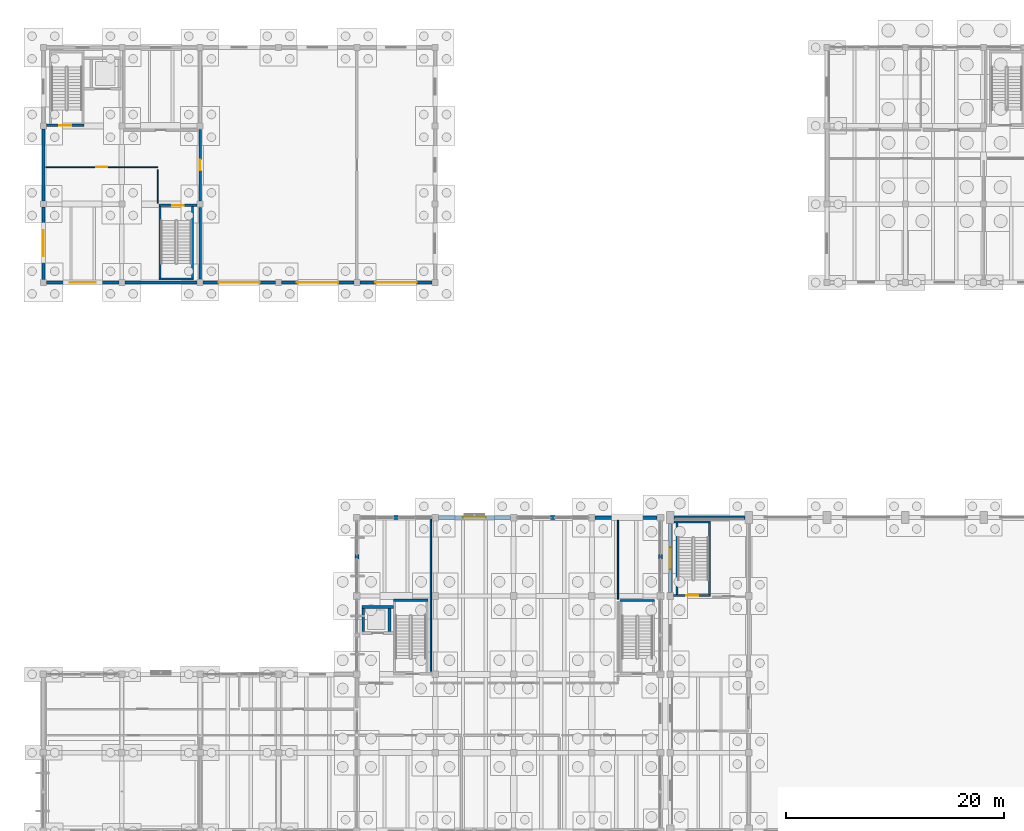
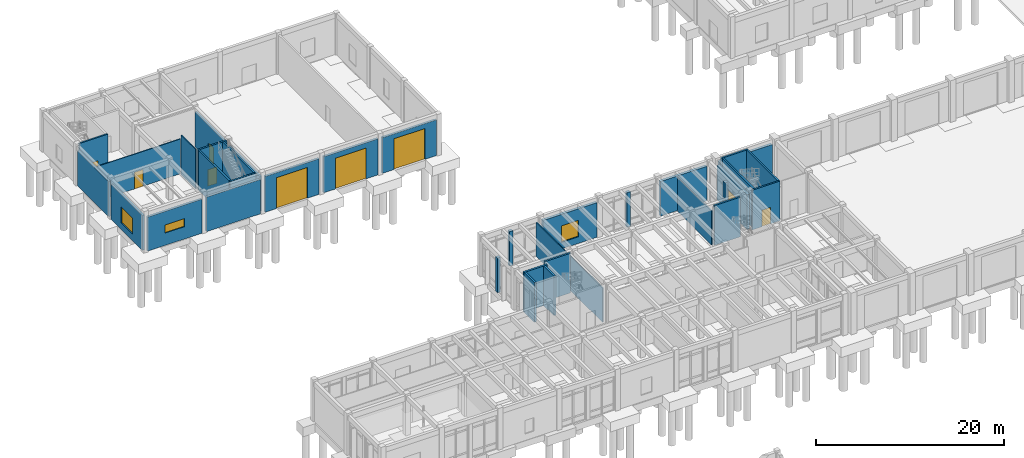
# One storey, part 66 of 93: 35 walls, 8 doors, 4 windows, 12 openings.
"""IFC4 building model written with IfcOpenShell, lengths in metres."""

from ifc_helpers import new_model, si_unit, direction, frame, frame_2d, origin, place, context, subcontext, project, spatial, rectangle, extrude, material, layer, layer_set, type_object, element, fill, save


model = new_model("IFC4")

# Units and contexts
model_context = context("Model", 3, precision=1e-05, world=origin(), true_north=direction((0.0, 1.0)))
body_context = subcontext(model_context, "Body", "Model", "MODEL_VIEW")
ifc_project = project(units=[si_unit("LENGTHUNIT", "METRE"), si_unit("AREAUNIT", "SQUARE_METRE"), si_unit("VOLUMEUNIT", "CUBIC_METRE"), si_unit("PLANEANGLEUNIT", "RADIAN"), si_unit("MASSUNIT", "GRAM", prefix="KILO")], contexts=[model_context])

# Site, building, storey
site_placement = place(None, origin())
site = spatial("IfcSite", under=ifc_project, at=site_placement, CompositionType="ELEMENT")
building_placement = place(site_placement, origin())
building = spatial("IfcBuilding", under=site, at=building_placement, Name="Koriwan Promenade Central Fire Station", CompositionType="ELEMENT")
storey_placement = place(building_placement, origin())
storey = spatial("IfcBuildingStorey", under=building, at=storey_placement, Name="L00", CompositionType="ELEMENT", Elevation=0.0)

# Walls
ifc_material_1 = material(Name="Natural sillar sandstone ashlar", Category="masonry")
ifc_layer_1 = layer(ifc_material_1, 0.360107421875, Name="Natural sillar sandstone ashlar")
ifc_layer_set_1 = layer_set([ifc_layer_1], Name="Natural sillar sandstone ashlar")
wall_type_1 = type_object("IfcWallType", Name="ExtWall_SillarBase_360", PredefinedType="SOLIDWALL", material=ifc_layer_set_1)
for number, where, z_axis, x_axis, name in (
    (1, (28.800048828125, 68.199951171875, 0.0), (0.0, 0.0, 1.0), (0.0, 1.0, 0.0), "V4 L00 sillar facade mullion pier 160"),
    (2, (32.199951171875, 72.0, 0.0), (0.0, 0.0, 1.0), (1.0, 0.0, 0.0), "V4 L00 sillar facade mullion pier 161"),
):
    element("IfcWall", number, at=place(storey_placement, frame(where, z_axis=z_axis, x_axis=x_axis)), inside=storey, type_object=wall_type_1, Name=name, PredefinedType="SOLIDWALL", context=body_context, shape_type="SweptSolid", body=[
        extrude(rectangle(XDim=0.400146484375, YDim=0.360107421875, at=frame_2d((0.2001953125, 0.0))), origin(), (0.0, 0.0, 1.0), 4.489990234375),
    ])
wall_1_placement = place(storey_placement, frame((46.60009765625, 72.0, 0.0), z_axis=(0.0, 0.0, 1.0), x_axis=(1.0, 0.0, 0.0)))
element("IfcWall", 3, at=wall_1_placement, inside=storey, type_object=wall_type_1, Name="V4 L00 sillar facade mullion pier 163", PredefinedType="SOLIDWALL", context=body_context, shape_type="SweptSolid", body=[
    extrude(rectangle(XDim=0.39990234375, YDim=0.360107421875, at=frame_2d((0.199951171875, 0.0))), origin(), (0.0, 0.0, 1.0), 4.489990234375),
])
wall_2_placement = place(storey_placement, frame((56.699951171875, 68.60009765625, 0.0), z_axis=(0.0, 0.0, 1.0), x_axis=(0.0, -1.0, 0.0)))
element("IfcWall", 4, at=wall_2_placement, inside=storey, type_object=wall_type_1, Name="V4 L00 sillar facade mullion pier 165", PredefinedType="SOLIDWALL", context=body_context, shape_type="SweptSolid", body=[
    extrude(rectangle(XDim=0.400146484375, YDim=0.360107421875, at=frame_2d((0.2001953125, 0.0))), origin(), (0.0, 0.0, 1.0), 4.489990234375),
])
ifc_material_2 = material(Name="Precast concrete C40/50", Category="concrete")
ifc_layer_2 = layer(ifc_material_2, 0.320068359375, Name="Precast concrete C40/50")
ifc_layer_set_2 = layer_set([ifc_layer_2], Name="Precast concrete C40/50")
wall_type_2 = type_object("IfcWallType", Name="ExtWall_Terracotta_320", PredefinedType="ELEMENTEDWALL", material=ifc_layer_set_2)
wall_3_placement = place(storey_placement, frame((64.449951171875, 72.0, 0.0), z_axis=(0.0, 0.0, 1.0), x_axis=(-1.0, 0.0, 0.0)))
element("IfcWall", 5, at=wall_3_placement, inside=storey, type_object=wall_type_2, Name="V1 L00 exterior wall 12", PredefinedType="ELEMENTEDWALL", context=body_context, shape_type="SweptSolid", body=[
    extrude(rectangle(XDim=6.5, YDim=0.320068359375, at=frame_2d((3.25, 0.0))), origin(), (0.0, 0.0, 1.0), 4.489990234375),
])

# Wall, opening, window
wall_4_placement = place(storey_placement, frame((57.60009765625, 71.449951171875, 0.0), z_axis=(0.0, 0.0, 1.0), x_axis=(0.0, -1.0, 0.0)))
wall_4 = element("IfcWall", 6, at=wall_4_placement, inside=storey, type_object=wall_type_2, Name="V1 L00 exterior wall 13", PredefinedType="ELEMENTEDWALL", context=body_context, shape_type="SweptSolid", body=[
    extrude(rectangle(XDim=6.349853515625, YDim=0.320068359375, at=frame_2d((3.1748046875, 0.0))), origin(), (0.0, 0.0, 1.0), 4.489990234375),
])
opening_1_placement = place(wall_4_placement, frame((2.175048828125, 0.0, 0.85009765625)))
opening_1 = element("IfcOpeningElement", 7, at=opening_1_placement, cuts=wall_4, Name="Opening W-16", PredefinedType="OPENING", context=body_context, shape_type="SweptSolid", body=[
    extrude(rectangle(XDim=2.0, YDim=1.85009765625, at=frame_2d((1.0, 0.925048828125))), frame((0.0, 0.171875, 0.0), z_axis=(0.0, -1.0, 0.0), x_axis=(1.0, 0.0, 0.0)), (0.0, 0.0, 1.0), 0.343994140625),
])
ifc_material_3 = material(Name="Solar-control low-E laminated double glazing", Category="glass")
window_type_1 = type_object("IfcWindowType", Name="Win_Studio_2000x1850", PartitioningType="SINGLE_PANEL", PredefinedType="WINDOW", material=ifc_material_3)
window_1_placement = place(opening_1_placement, origin())
window_1 = element("IfcWindow", 8, at=window_1_placement, inside=storey, type_object=window_type_1, Name="V1 L00 window 0004", OverallHeight=1.85009765625, OverallWidth=2.0, PartitioningType="SINGLE_PANEL", PredefinedType="WINDOW", context=body_context, shape_type="SweptSolid", body=[
    extrude(rectangle(XDim=2.0, YDim=1.85009765625, at=frame_2d((1.0, 0.925048828125))), frame((0.0, 0.030029296875, 0.0), z_axis=(0.0, -1.0, 0.0), x_axis=(1.0, 0.0, 0.0)), (0.0, 0.0, 1.0), 0.06005859375),
])
fill(opening_1, window_1)

wall_5_placement = place(storey_placement, frame((36.300048828125, 72.0, 0.0), z_axis=(0.0, 0.0, 1.0), x_axis=(1.0, 0.0, 0.0)))
wall_5 = element("IfcWall", 9, at=wall_5_placement, inside=storey, type_object=wall_type_2, Name="V4 L00 exterior wall 162", PredefinedType="ELEMENTEDWALL", context=body_context, shape_type="SweptSolid", body=[
    extrude(rectangle(XDim=6.599853515625, YDim=0.320068359375, at=frame_2d((3.2998046875, 0.0))), origin(), (0.0, 0.0, 1.0), 4.489990234375),
])
opening_2_placement = place(wall_5_placement, frame((2.25, 0.0, 0.85009765625)))
opening_2 = element("IfcOpeningElement", 10, at=opening_2_placement, cuts=wall_5, Name="Opening W-11", PredefinedType="OPENING", context=body_context, shape_type="SweptSolid", body=[
    extrude(rectangle(XDim=2.10009765625, YDim=2.14990234375, at=frame_2d((1.050048828125, 1.074951171875))), frame((0.0, 0.171875, 0.0), z_axis=(0.0, -1.0, 0.0), x_axis=(1.0, 0.0, 0.0)), (0.0, 0.0, 1.0), 0.343994140625),
])
window_type_2 = type_object("IfcWindowType", Name="Win_Pavilion_2100x2150", PartitioningType="SINGLE_PANEL", PredefinedType="WINDOW", material=ifc_material_3)
window_2_placement = place(opening_2_placement, origin())
window_2 = element("IfcWindow", 11, at=window_2_placement, inside=storey, type_object=window_type_2, Name="V4 L00 window 0068", OverallHeight=2.14990234375, OverallWidth=2.10009765625, PartitioningType="SINGLE_PANEL", PredefinedType="WINDOW", context=body_context, shape_type="SweptSolid", body=[
    extrude(rectangle(XDim=2.10009765625, YDim=2.14990234375, at=frame_2d((1.050048828125, 1.074951171875))), frame((0.0, 0.030029296875, 0.0), z_axis=(0.0, -1.0, 0.0), x_axis=(1.0, 0.0, 0.0)), (0.0, 0.0, 1.0), 0.06005859375),
])
fill(opening_2, window_2)

# Walls
wall_6_placement = place(storey_placement, frame((50.699951171875, 72.0, 0.0), z_axis=(0.0, 0.0, 1.0), x_axis=(1.0, 0.0, 0.0)))
element("IfcWall", 12, at=wall_6_placement, inside=storey, type_object=wall_type_2, Name="V4 L00 exterior wall 164", PredefinedType="ELEMENTEDWALL", context=body_context, shape_type="SweptSolid", body=[
    extrude(rectangle(XDim=5.699951171875, YDim=0.320068359375, at=frame_2d((2.85009765625, 0.0))), origin(), (0.0, 0.0, 1.0), 4.489990234375),
])
ifc_layer_3 = layer(ifc_material_2, 0.260009765625, Name="Precast concrete C40/50")
ifc_layer_set_3 = layer_set([ifc_layer_3], Name="Precast concrete C40/50")
wall_type_3 = type_object("IfcWallType", Name="ExtWall_WorkshopRed_260", PredefinedType="STANDARD", material=ifc_layer_set_3)
wall_7_placement = place(storey_placement, frame((0.0, 107.72509765625, 0.0), z_axis=(0.0, 0.0, 1.0), x_axis=(0.0, -1.0, 0.0)))
element("IfcWall", 13, at=wall_7_placement, inside=storey, type_object=wall_type_3, Name="V6 L00 exterior wall 344", PredefinedType="STANDARD", context=body_context, shape_type="SweptSolid", body=[
    extrude(rectangle(XDim=6.650146484375, YDim=0.260009765625, at=frame_2d((3.3251953125, 0.0))), origin(), (0.0, 0.0, 1.0), 4.570068359375),
])

# Wall, opening, window
wall_8_placement = place(storey_placement, frame((0.0, 100.52490234375, 0.0), z_axis=(0.0, 0.0, 1.0), x_axis=(0.0, -1.0, 0.0)))
wall_8 = element("IfcWall", 14, at=wall_8_placement, inside=storey, type_object=wall_type_3, Name="V6 L00 exterior wall 345", PredefinedType="STANDARD", context=body_context, shape_type="SweptSolid", body=[
    extrude(rectangle(XDim=6.64990234375, YDim=0.260009765625, at=frame_2d((3.324951171875, 0.0))), origin(), (0.0, 0.0, 1.0), 4.52001953125),
])
opening_3_placement = place(wall_8_placement, frame((2.125, 0.0, 0.85009765625)))
opening_3 = element("IfcOpeningElement", 15, at=opening_3_placement, cuts=wall_8, Name="Opening W-12", PredefinedType="OPENING", context=body_context, shape_type="SweptSolid", body=[
    extrude(rectangle(XDim=2.39990234375, YDim=2.050048828125, at=frame_2d((1.199951171875, 1.02490234375))), frame((0.0, 0.14208984375, 0.0), z_axis=(0.0, -1.0, 0.0), x_axis=(1.0, 0.0, 0.0)), (0.0, 0.0, 1.0), 0.283935546875),
])
window_type_3 = type_object("IfcWindowType", Name="Win_Pavilion_2400x2050", PartitioningType="SINGLE_PANEL", PredefinedType="WINDOW", material=ifc_material_3)
window_3_placement = place(opening_3_placement, origin())
window_3 = element("IfcWindow", 16, at=window_3_placement, inside=storey, type_object=window_type_3, Name="V6 L00 window 0113", OverallHeight=2.050048828125, OverallWidth=2.39990234375, PartitioningType="SINGLE_PANEL", PredefinedType="WINDOW", context=body_context, shape_type="SweptSolid", body=[
    extrude(rectangle(XDim=2.39990234375, YDim=2.050048828125, at=frame_2d((1.199951171875, 1.02490234375))), frame((0.0, 0.030029296875, 0.0), z_axis=(0.0, -1.0, 0.0), x_axis=(1.0, 0.0, 0.0)), (0.0, 0.0, 1.0), 0.06005859375),
])
fill(opening_3, window_3)

wall_9_placement = place(storey_placement, frame((0.27490234375, 93.60009765625, 0.0), z_axis=(0.0, 0.0, 1.0), x_axis=(1.0, 0.0, 0.0)))
wall_9 = element("IfcWall", 17, at=wall_9_placement, inside=storey, type_object=wall_type_3, Name="V6 L00 exterior wall 346", PredefinedType="STANDARD", context=body_context, shape_type="SweptSolid", body=[
    extrude(rectangle(XDim=6.650146484375, YDim=0.260009765625, at=frame_2d((3.3251953125, 0.0))), origin(), (0.0, 0.0, 1.0), 4.419921875),
])
opening_4_placement = place(wall_9_placement, frame((2.125, 0.0, 1.60009765625)))
opening_4 = element("IfcOpeningElement", 18, at=opening_4_placement, cuts=wall_9, Name="Opening W-13", PredefinedType="OPENING", context=body_context, shape_type="SweptSolid", body=[
    extrude(rectangle(XDim=2.39990234375, YDim=1.050048828125, at=frame_2d((1.199951171875, 0.52490234375))), frame((0.0, 0.14208984375, 0.0), z_axis=(0.0, -1.0, 0.0), x_axis=(1.0, 0.0, 0.0)), (0.0, 0.0, 1.0), 0.283935546875),
])
window_type_4 = type_object("IfcWindowType", Name="Win_HighRibbon_2400x1050", PartitioningType="SINGLE_PANEL", PredefinedType="WINDOW", material=ifc_material_3)
window_4_placement = place(opening_4_placement, origin())
window_4 = element("IfcWindow", 19, at=window_4_placement, inside=storey, type_object=window_type_4, Name="V6 L00 window 0114", OverallHeight=1.050048828125, OverallWidth=2.39990234375, PartitioningType="SINGLE_PANEL", PredefinedType="WINDOW", context=body_context, shape_type="SweptSolid", body=[
    extrude(rectangle(XDim=2.39990234375, YDim=1.050048828125, at=frame_2d((1.199951171875, 0.52490234375))), frame((0.0, 0.030029296875, 0.0), z_axis=(0.0, -1.0, 0.0), x_axis=(1.0, 0.0, 0.0)), (0.0, 0.0, 1.0), 0.06005859375),
])
fill(opening_4, window_4)

# Wall
wall_10_placement = place(storey_placement, frame((7.47509765625, 93.60009765625, 0.0), z_axis=(0.0, 0.0, 1.0), x_axis=(1.0, 0.0, 0.0)))
element("IfcWall", 20, at=wall_10_placement, inside=storey, type_object=wall_type_3, Name="V6 L00 exterior wall 347", PredefinedType="STANDARD", context=body_context, shape_type="SweptSolid", body=[
    extrude(rectangle(XDim=6.64990234375, YDim=0.260009765625, at=frame_2d((3.324951171875, 0.0))), origin(), (0.0, 0.0, 1.0), 4.469970703125),
])

# Wall, opening, door
wall_11_placement = place(storey_placement, frame((14.675048828125, 93.60009765625, 0.0), z_axis=(0.0, 0.0, 1.0), x_axis=(1.0, 0.0, 0.0)))
wall_11 = element("IfcWall", 21, at=wall_11_placement, inside=storey, type_object=wall_type_3, Name="V6 L00 exterior wall 348", PredefinedType="STANDARD", context=body_context, shape_type="SweptSolid", body=[
    extrude(rectangle(XDim=6.64990234375, YDim=0.260009765625, at=frame_2d((3.324951171875, 0.0))), origin(), (0.0, 0.0, 1.0), 4.639892578125),
])
opening_5_placement = place(wall_11_placement, frame((1.425048828125, 0.0, 0.0)))
opening_5 = element("IfcOpeningElement", 22, at=opening_5_placement, cuts=wall_11, Name="Opening WKD-033", PredefinedType="OPENING", context=body_context, shape_type="SweptSolid", body=[
    extrude(rectangle(XDim=3.800048828125, YDim=4.0, at=frame_2d((1.89990234375, 2.0))), frame((0.0, 0.14208984375, 0.0), z_axis=(0.0, -1.0, 0.0), x_axis=(1.0, 0.0, 0.0)), (0.0, 0.0, 1.0), 0.283935546875),
])
ifc_material_4 = material(Name="Aluminium EN AW-6063-T6 and laminated safety glass", Category="aluminium")
door_type_1 = type_object("IfcDoorType", Name="WorkshopDoor_3800x4000", OperationType="DOUBLE_SWING_LEFT", PredefinedType="DOOR", material=ifc_material_4)
door_1_placement = place(opening_5_placement, frame((3.800048828125, 0.0, 0.0), z_axis=(0.0, 0.0, 1.0), x_axis=(-1.0, 0.0, 0.0)))
door_1 = element("IfcDoor", 23, at=door_1_placement, inside=storey, type_object=door_type_1, Name="Fleet Workshop Vehicle Door WKD-033", OperationType="DOUBLE_SWING_LEFT", OverallHeight=4.0, OverallWidth=3.800048828125, PredefinedType="DOOR", context=body_context, shape_type="SweptSolid", body=[
    extrude(rectangle(XDim=3.800048828125, YDim=4.0, at=frame_2d((1.89990234375, 2.0))), frame((0.0, 0.02490234375, 0.0), z_axis=(0.0, -1.0, 0.0), x_axis=(1.0, 0.0, 0.0)), (0.0, 0.0, 1.0), 0.050048828125),
])
fill(opening_5, door_1)

wall_12_placement = place(storey_placement, frame((21.875, 93.60009765625, 0.0), z_axis=(0.0, 0.0, 1.0), x_axis=(1.0, 0.0, 0.0)))
wall_12 = element("IfcWall", 24, at=wall_12_placement, inside=storey, type_object=wall_type_3, Name="V6 L00 exterior wall 349", PredefinedType="STANDARD", context=body_context, shape_type="SweptSolid", body=[
    extrude(rectangle(XDim=6.64990234375, YDim=0.260009765625, at=frame_2d((3.324951171875, 0.0))), origin(), (0.0, 0.0, 1.0), 4.68994140625),
])
opening_6_placement = place(wall_12_placement, frame((1.425048828125, 0.0, 0.0)))
opening_6 = element("IfcOpeningElement", 25, at=opening_6_placement, cuts=wall_12, Name="Opening WKD-034", PredefinedType="OPENING", context=body_context, shape_type="SweptSolid", body=[
    extrude(rectangle(XDim=3.800048828125, YDim=4.0, at=frame_2d((1.89990234375, 2.0))), frame((0.0, 0.14208984375, 0.0), z_axis=(0.0, -1.0, 0.0), x_axis=(1.0, 0.0, 0.0)), (0.0, 0.0, 1.0), 0.283935546875),
])
door_2_placement = place(opening_6_placement, frame((3.800048828125, 0.0, 0.0), z_axis=(0.0, 0.0, 1.0), x_axis=(-1.0, 0.0, 0.0)))
door_2 = element("IfcDoor", 26, at=door_2_placement, inside=storey, type_object=door_type_1, Name="Fleet Workshop Vehicle Door WKD-034", OperationType="DOUBLE_SWING_LEFT", OverallHeight=4.0, OverallWidth=3.800048828125, PredefinedType="DOOR", context=body_context, shape_type="SweptSolid", body=[
    extrude(rectangle(XDim=3.800048828125, YDim=4.0, at=frame_2d((1.89990234375, 2.0))), frame((0.0, 0.02490234375, 0.0), z_axis=(0.0, -1.0, 0.0), x_axis=(1.0, 0.0, 0.0)), (0.0, 0.0, 1.0), 0.050048828125),
])
fill(opening_6, door_2)

wall_13_placement = place(storey_placement, frame((29.074951171875, 93.60009765625, 0.0), z_axis=(0.0, 0.0, 1.0), x_axis=(1.0, 0.0, 0.0)))
wall_13 = element("IfcWall", 27, at=wall_13_placement, inside=storey, type_object=wall_type_3, Name="V6 L00 exterior wall 350", PredefinedType="STANDARD", context=body_context, shape_type="SweptSolid", body=[
    extrude(rectangle(XDim=6.650146484375, YDim=0.260009765625, at=frame_2d((3.3251953125, 0.0))), origin(), (0.0, 0.0, 1.0), 4.639892578125),
])
opening_7_placement = place(wall_13_placement, frame((1.425048828125, 0.0, 0.0)))
opening_7 = element("IfcOpeningElement", 28, at=opening_7_placement, cuts=wall_13, Name="Opening WKD-035", PredefinedType="OPENING", context=body_context, shape_type="SweptSolid", body=[
    extrude(rectangle(XDim=3.800048828125, YDim=4.0, at=frame_2d((1.89990234375, 2.0))), frame((0.0, 0.14208984375, 0.0), z_axis=(0.0, -1.0, 0.0), x_axis=(1.0, 0.0, 0.0)), (0.0, 0.0, 1.0), 0.283935546875),
])
door_3_placement = place(opening_7_placement, frame((3.800048828125, 0.0, 0.0), z_axis=(0.0, 0.0, 1.0), x_axis=(-1.0, 0.0, 0.0)))
door_3 = element("IfcDoor", 29, at=door_3_placement, inside=storey, type_object=door_type_1, Name="Fleet Workshop Vehicle Door WKD-035", OperationType="DOUBLE_SWING_LEFT", OverallHeight=4.0, OverallWidth=3.800048828125, PredefinedType="DOOR", context=body_context, shape_type="SweptSolid", body=[
    extrude(rectangle(XDim=3.800048828125, YDim=4.0, at=frame_2d((1.89990234375, 2.0))), frame((0.0, 0.02490234375, 0.0), z_axis=(0.0, -1.0, 0.0), x_axis=(1.0, 0.0, 0.0)), (0.0, 0.0, 1.0), 0.050048828125),
])
fill(opening_7, door_3)

ifc_material_5 = material(Name="Gypsum board acoustic stud partition", Category="gypsum")
ifc_layer_4 = layer(ifc_material_5, 0.10009765625, Name="Gypsum board acoustic stud partition")
ifc_layer_set_4 = layer_set([ifc_layer_4], Name="Gypsum board acoustic stud partition")
wall_type_4 = type_object("IfcWallType", Name="IntWall_Drywall_100", PredefinedType="PARTITIONING", material=ifc_layer_set_4)
wall_14_placement = place(storey_placement, frame((0.219970703125, 104.199951171875, 0.0), z_axis=(0.0, 0.0, 1.0), x_axis=(1.0, 0.0, 0.0)))
wall_14 = element("IfcWall", 30, at=wall_14_placement, inside=storey, type_object=wall_type_4, Name="Parts and Heavy Tyre Workshop partition N", PredefinedType="PARTITIONING", context=body_context, shape_type="SweptSolid", body=[
    extrude(rectangle(XDim=10.280029296875, YDim=0.10009765625, at=frame_2d((5.14013671875, 0.0))), origin(), (0.0, 0.0, 1.0), 4.51806640625),
])
opening_8_placement = place(wall_14_placement, frame((4.639892578125, 0.0, 0.0)))
opening_8 = element("IfcOpeningElement", 31, at=opening_8_placement, cuts=wall_14, Name="Opening D-198", PredefinedType="OPENING", context=body_context, shape_type="SweptSolid", body=[
    extrude(rectangle(XDim=1.0, YDim=2.14990234375, at=frame_2d((0.5, 1.074951171875))), frame((0.0, 0.06201171875, 0.0), z_axis=(0.0, -1.0, 0.0), x_axis=(1.0, 0.0, 0.0)), (0.0, 0.0, 1.0), 0.1240234375),
])
ifc_material_6 = material(Name="Hardwood veneer solid-core timber", Category="wood")
door_type_2 = type_object("IfcDoorType", Name="RoomDoor_Office_1000x2150", OperationType="NOTDEFINED", PredefinedType="DOOR", material=ifc_material_6)
door_4_placement = place(opening_8_placement, origin())
door_4 = element("IfcDoor", 32, at=door_4_placement, inside=storey, type_object=door_type_2, Name="Parts and Heavy Tyre Workshop Door D-198", OperationType="SINGLE_SWING_RIGHT", OverallHeight=2.14990234375, OverallWidth=1.0, PredefinedType="DOOR", context=body_context, shape_type="SweptSolid", body=[
    extrude(rectangle(XDim=1.0, YDim=2.14990234375, at=frame_2d((0.5, 1.074951171875))), frame((0.0, 0.02490234375, 0.0), z_axis=(0.0, -1.0, 0.0), x_axis=(1.0, 0.0, 0.0)), (0.0, 0.0, 1.0), 0.050048828125),
])
fill(opening_8, door_4)

# Walls
wall_15_placement = place(storey_placement, frame((10.5, 100.890380859375, 0.0), z_axis=(0.0, 0.0, 1.0), x_axis=(0.0, 1.0, 0.0)))
element("IfcWall", 33, at=wall_15_placement, inside=storey, type_object=wall_type_4, Name="Parts and Heavy Tyre Workshop partition E", PredefinedType="PARTITIONING", context=body_context, shape_type="SweptSolid", body=[
    extrude(rectangle(XDim=3.089599609375, YDim=0.10009765625, at=frame_2d((1.544921875, 0.0))), origin(), (0.0, 0.0, 1.0), 5.1201171875),
])
ifc_layer_5 = layer(ifc_material_5, 0.1201171875, Name="Gypsum board acoustic stud partition")
ifc_layer_set_5 = layer_set([ifc_layer_5], Name="Gypsum board acoustic stud partition")
wall_type_5 = type_object("IfcWallType", Name="IntWall_Drywall_120", PredefinedType="PARTITIONING", material=ifc_layer_set_5)
wall_16_placement = place(storey_placement, frame((52.800048828125, 64.51611328125, 0.0), z_axis=(0.0, 0.0, 1.0), x_axis=(0.0, 1.0, 0.0)))
element("IfcWall", 34, at=wall_16_placement, inside=storey, type_object=wall_type_5, Name="Breathing Apparatus Room and Compressor Lab partition E", PredefinedType="PARTITIONING", context=body_context, shape_type="SweptSolid", body=[
    extrude(rectangle(XDim=7.263916015625, YDim=0.1201171875, at=frame_2d((3.6318359375, 0.0))), origin(), (0.0, 0.0, 1.0), 4.387939453125),
])
wall_17_placement = place(storey_placement, frame((35.60009765625, 57.8701171875, 0.0), z_axis=(0.0, 0.0, 1.0), x_axis=(0.0, 1.0, 0.0)))
element("IfcWall", 35, at=wall_17_placement, inside=storey, type_object=wall_type_5, Name="Breathing Apparatus Room and Compressor Lab partition W", PredefinedType="PARTITIONING", context=body_context, shape_type="SweptSolid", body=[
    extrude(rectangle(XDim=14.1298828125, YDim=0.1201171875, at=frame_2d((7.06494140625, 0.0))), origin(), (0.0, 0.0, 1.0), 4.43798828125),
])
ifc_material_7 = material(Name="Concrete C35/45 compartment wall", Category="concrete")
ifc_layer_6 = layer(ifc_material_7, 0.219970703125, Name="Concrete C35/45 compartment wall")
ifc_layer_set_6 = layer_set([ifc_layer_6], Name="Concrete C35/45 compartment wall")
wall_type_6 = type_object("IfcWallType", Name="IntWall_Plant_220", PredefinedType="STANDARD", material=ifc_layer_set_6)
wall_18_placement = place(storey_placement, frame((14.39990234375, 93.9150390625, 0.0), z_axis=(0.0, 0.0, 1.0), x_axis=(0.0, 1.0, 0.0)))
element("IfcWall", 36, at=wall_18_placement, inside=storey, type_object=wall_type_6, Name="Heavy Fleet Maintenance Workshop partition W", PredefinedType="STANDARD", context=body_context, shape_type="SweptSolid", body=[
    extrude(rectangle(XDim=6.570068359375, YDim=0.219970703125, at=frame_2d((3.28515625, 0.0))), origin(), (0.0, 0.0, 1.0), 4.51806640625),
])

# Wall, opening, door
wall_19_placement = place(storey_placement, frame((14.39990234375, 101.114990234375, 0.0), z_axis=(0.0, 0.0, 1.0), x_axis=(0.0, 1.0, 0.0)))
wall_19 = element("IfcWall", 37, at=wall_19_placement, inside=storey, type_object=wall_type_6, Name="Heavy Fleet Maintenance Workshop partition W", PredefinedType="STANDARD", context=body_context, shape_type="SweptSolid", body=[
    extrude(rectangle(XDim=6.570068359375, YDim=0.219970703125, at=frame_2d((3.28515625, 0.0))), origin(), (0.0, 0.0, 1.0), 4.568115234375),
])
opening_9_placement = place(wall_19_placement, frame((2.784912109375, 0.0, 0.0)))
opening_9 = element("IfcOpeningElement", 38, at=opening_9_placement, cuts=wall_19, Name="Opening D-196", PredefinedType="OPENING", context=body_context, shape_type="SweptSolid", body=[
    extrude(rectangle(XDim=1.0, YDim=2.14990234375, at=frame_2d((0.5, 1.074951171875))), frame((0.0, 0.1220703125, 0.0), z_axis=(0.0, -1.0, 0.0), x_axis=(1.0, 0.0, 0.0)), (0.0, 0.0, 1.0), 0.243896484375),
])
door_5_placement = place(opening_9_placement, origin())
door_5 = element("IfcDoor", 39, at=door_5_placement, inside=storey, type_object=door_type_2, Name="Heavy Fleet Maintenance Workshop Door D-196", OperationType="SINGLE_SWING_RIGHT", OverallHeight=2.14990234375, OverallWidth=1.0, PredefinedType="DOOR", context=body_context, shape_type="SweptSolid", body=[
    extrude(rectangle(XDim=1.0, YDim=2.14990234375, at=frame_2d((0.5, 1.074951171875))), frame((0.0, 0.02490234375, 0.0), z_axis=(0.0, -1.0, 0.0), x_axis=(1.0, 0.0, 0.0)), (0.0, 0.0, 1.0), 0.050048828125),
])
fill(opening_9, door_5)

ifc_material_8 = material(Name="Concrete C40/50", Category="concrete")
ifc_layer_7 = layer(ifc_material_8, 0.199951171875, Name="Concrete C40/50")
ifc_layer_set_7 = layer_set([ifc_layer_7], Name="Concrete C40/50")
wall_type_7 = type_object("IfcWallType", Name="ShearWall_200", PredefinedType="SHEAR", material=ifc_layer_set_7)
wall_20_placement = place(storey_placement, frame((57.89990234375, 64.85009765625, 0.0), z_axis=(0.0, 0.0, 1.0), x_axis=(1.0, 0.0, 0.0)))
wall_20 = element("IfcWall", 40, at=wall_20_placement, inside=storey, type_object=wall_type_7, Name="ST01 L00 structural stair wall S", PredefinedType="SHEAR", context=body_context, shape_type="SweptSolid", body=[
    extrude(rectangle(XDim=3.400146484375, YDim=0.199951171875, at=frame_2d((1.7001953125, 0.0))), origin(), (0.0, 0.0, 1.0), 5.14990234375),
])
opening_10_placement = place(wall_20_placement, frame((1.14990234375, 0.0, 0.0)))
opening_10 = element("IfcOpeningElement", 41, at=opening_10_placement, cuts=wall_20, Name="Opening SD-002", PredefinedType="OPENING", context=body_context, shape_type="SweptSolid", body=[
    extrude(rectangle(XDim=1.10009765625, YDim=2.14990234375, at=frame_2d((0.550048828125, 1.074951171875))), frame((0.0, 0.11181640625, 0.0), z_axis=(0.0, -1.0, 0.0), x_axis=(1.0, 0.0, 0.0)), (0.0, 0.0, 1.0), 0.223876953125),
])
ifc_material_9 = material(Name="Painted galvanized fire-door steel", Category="steel")
door_type_3 = type_object("IfcDoorType", Name="FireDoor_Stair_1100x2150", OperationType="NOTDEFINED", PredefinedType="DOOR", material=ifc_material_9)
door_6_placement = place(opening_10_placement, frame((1.10009765625, 0.0, 0.0), z_axis=(0.0, 0.0, 1.0), x_axis=(-1.0, 0.0, 0.0)))
door_6 = element("IfcDoor", 42, at=door_6_placement, inside=storey, type_object=door_type_3, Name="Protected Stair ST01 Fire Door SD-002", OperationType="SINGLE_SWING_LEFT", OverallHeight=2.14990234375, OverallWidth=1.10009765625, PredefinedType="DOOR", context=body_context, shape_type="SweptSolid", body=[
    extrude(rectangle(XDim=1.10009765625, YDim=2.14990234375, at=frame_2d((0.550048828125, 1.074951171875))), frame((0.0, 0.02490234375, 0.0), z_axis=(0.0, -1.0, 0.0), x_axis=(1.0, 0.0, 0.0)), (0.0, 0.0, 1.0), 0.050048828125),
])
fill(opening_10, door_6)

# Walls
wall_21_placement = place(storey_placement, frame((57.949951171875, 71.610107421875, 0.0), z_axis=(0.0, 0.0, 1.0), x_axis=(1.0, 0.0, 0.0)))
element("IfcWall", 43, at=wall_21_placement, inside=storey, type_object=wall_type_7, Name="ST01 L00 structural stair wall N", PredefinedType="SHEAR", context=body_context, shape_type="SweptSolid", body=[
    extrude(rectangle(XDim=3.35009765625, YDim=0.199951171875, at=frame_2d((1.675048828125, 0.0))), origin(), (0.0, 0.0, 1.0), 5.14990234375),
])
for number, where, z_axis, x_axis, name in (
    (44, (58.2099609375, 64.949951171875, 0.0), (0.0, 0.0, 1.0), (0.0, 1.0, 0.0), "ST01 L00 structural stair wall W"),
    (45, (61.199951171875, 64.949951171875, 0.0), (0.0, 0.0, 1.0), (0.0, 1.0, 0.0), "ST01 L00 structural stair wall E"),
):
    element("IfcWall", number, at=place(storey_placement, frame(where, z_axis=z_axis, x_axis=x_axis)), inside=storey, type_object=wall_type_7, Name=name, PredefinedType="SHEAR", context=body_context, shape_type="SweptSolid", body=[
        extrude(rectangle(XDim=6.56005859375, YDim=0.199951171875, at=frame_2d((3.280029296875, 0.0))), origin(), (0.0, 0.0, 1.0), 5.14990234375),
    ])
wall_22_placement = place(storey_placement, frame((32.159912109375, 64.409912109375, 0.0), z_axis=(0.0, 0.0, 1.0), x_axis=(1.0, 0.0, 0.0)))
element("IfcWall", 46, at=wall_22_placement, inside=storey, type_object=wall_type_7, Name="ST18 L00 structural stair wall N", PredefinedType="SHEAR", context=body_context, shape_type="SweptSolid", body=[
    extrude(rectangle(XDim=3.190185546875, YDim=0.199951171875, at=frame_2d((1.59521484375, 0.0))), origin(), (0.0, 0.0, 1.0), 5.14990234375),
])
wall_23_placement = place(storey_placement, frame((52.97998046875, 64.389892578125, 0.0), z_axis=(0.0, 0.0, 1.0), x_axis=(1.0, 0.0, 0.0)))
element("IfcWall", 47, at=wall_23_placement, inside=storey, type_object=wall_type_7, Name="ST20 L00 structural stair wall N", PredefinedType="SHEAR", context=body_context, shape_type="SweptSolid", body=[
    extrude(rectangle(XDim=3.169921875, YDim=0.199951171875, at=frame_2d((1.5849609375, 0.0))), origin(), (0.0, 0.0, 1.0), 5.14990234375),
])

# Wall, opening, door
wall_24_placement = place(storey_placement, frame((0.27490234375, 108.050048828125, 0.0), z_axis=(0.0, 0.0, 1.0), x_axis=(1.0, 0.0, 0.0)))
wall_24 = element("IfcWall", 48, at=wall_24_placement, inside=storey, type_object=wall_type_7, Name="ST32 L00 structural stair wall S", PredefinedType="SHEAR", context=body_context, shape_type="SweptSolid", body=[
    extrude(rectangle(XDim=3.47509765625, YDim=0.199951171875, at=frame_2d((1.737548828125, 0.0))), origin(), (0.0, 0.0, 1.0), 5.179931640625),
])
opening_11_placement = place(wall_24_placement, frame((1.1875, 0.0, 0.0)))
opening_11 = element("IfcOpeningElement", 49, at=opening_11_placement, cuts=wall_24, Name="Opening SD-044", PredefinedType="OPENING", context=body_context, shape_type="SweptSolid", body=[
    extrude(rectangle(XDim=1.10009765625, YDim=2.14990234375, at=frame_2d((0.550048828125, 1.074951171875))), frame((0.0, 0.11181640625, 0.0), z_axis=(0.0, -1.0, 0.0), x_axis=(1.0, 0.0, 0.0)), (0.0, 0.0, 1.0), 0.223876953125),
])
door_7_placement = place(opening_11_placement, frame((1.10009765625, 0.0, 0.0), z_axis=(0.0, 0.0, 1.0), x_axis=(-1.0, 0.0, 0.0)))
door_7 = element("IfcDoor", 50, at=door_7_placement, inside=storey, type_object=door_type_3, Name="Protected Stair ST32 Fire Door SD-044", OperationType="SINGLE_SWING_LEFT", OverallHeight=2.14990234375, OverallWidth=1.10009765625, PredefinedType="DOOR", context=body_context, shape_type="SweptSolid", body=[
    extrude(rectangle(XDim=1.10009765625, YDim=2.14990234375, at=frame_2d((0.550048828125, 1.074951171875))), frame((0.0, 0.02490234375, 0.0), z_axis=(0.0, -1.0, 0.0), x_axis=(1.0, 0.0, 0.0)), (0.0, 0.0, 1.0), 0.050048828125),
])
fill(opening_11, door_7)

# Wall
wall_25_placement = place(storey_placement, frame((10.610107421875, 93.93994140625, 0.0), z_axis=(0.0, 0.0, 1.0), x_axis=(1.0, 0.0, 0.0)))
element("IfcWall", 51, at=wall_25_placement, inside=storey, type_object=wall_type_7, Name="ST33 L00 structural stair wall S", PredefinedType="SHEAR", context=body_context, shape_type="SweptSolid", body=[
    extrude(rectangle(XDim=3.18994140625, YDim=0.199951171875, at=frame_2d((1.594970703125, 0.0))), origin(), (0.0, 0.0, 1.0), 5.179931640625),
])

# Wall, opening, door
wall_26_placement = place(storey_placement, frame((10.610107421875, 100.699951171875, 0.0), z_axis=(0.0, 0.0, 1.0), x_axis=(1.0, 0.0, 0.0)))
wall_26 = element("IfcWall", 52, at=wall_26_placement, inside=storey, type_object=wall_type_7, Name="ST33 L00 structural stair wall N", PredefinedType="SHEAR", context=body_context, shape_type="SweptSolid", body=[
    extrude(rectangle(XDim=3.514892578125, YDim=0.199951171875, at=frame_2d((1.75732421875, 0.0))), origin(), (0.0, 0.0, 1.0), 5.179931640625),
])
opening_12_placement = place(wall_26_placement, frame((1.20751953125, 0.0, 0.0)))
opening_12 = element("IfcOpeningElement", 53, at=opening_12_placement, cuts=wall_26, Name="Opening SD-046", PredefinedType="OPENING", context=body_context, shape_type="SweptSolid", body=[
    extrude(rectangle(XDim=1.10009765625, YDim=2.14990234375, at=frame_2d((0.550048828125, 1.074951171875))), frame((0.0, 0.11181640625, 0.0), z_axis=(0.0, -1.0, 0.0), x_axis=(1.0, 0.0, 0.0)), (0.0, 0.0, 1.0), 0.223876953125),
])
door_8_placement = place(opening_12_placement, origin())
door_8 = element("IfcDoor", 54, at=door_8_placement, inside=storey, type_object=door_type_3, Name="Protected Stair ST33 Fire Door SD-046", OperationType="SINGLE_SWING_LEFT", OverallHeight=2.14990234375, OverallWidth=1.10009765625, PredefinedType="DOOR", context=body_context, shape_type="SweptSolid", body=[
    extrude(rectangle(XDim=1.10009765625, YDim=2.14990234375, at=frame_2d((0.550048828125, 1.074951171875))), frame((0.0, 0.02490234375, 0.0), z_axis=(0.0, -1.0, 0.0), x_axis=(1.0, 0.0, 0.0)), (0.0, 0.0, 1.0), 0.050048828125),
])
fill(opening_12, door_8)

# Walls
for number, where, z_axis, x_axis, name in (
    (55, (10.7099609375, 94.0400390625, 0.0), (0.0, 0.0, 1.0), (0.0, 1.0, 0.0), "ST33 L00 structural stair wall W"),
    (56, (13.699951171875, 94.0400390625, 0.0), (0.0, 0.0, 1.0), (0.0, 1.0, 0.0), "ST33 L00 structural stair wall E"),
):
    element("IfcWall", number, at=place(storey_placement, frame(where, z_axis=z_axis, x_axis=x_axis)), inside=storey, type_object=wall_type_7, Name=name, PredefinedType="SHEAR", context=body_context, shape_type="SweptSolid", body=[
        extrude(rectangle(XDim=6.56005859375, YDim=0.199951171875, at=frame_2d((3.280029296875, 0.0))), origin(), (0.0, 0.0, 1.0), 5.179931640625),
    ])
ifc_layer_8 = layer(ifc_material_8, 0.25, Name="Concrete C40/50")
ifc_layer_set_8 = layer_set([ifc_layer_8], Name="Concrete C40/50")
wall_type_8 = type_object("IfcWallType", Name="ShearWall_250", PredefinedType="SHEAR", material=ifc_layer_set_8)
wall_27_placement = place(storey_placement, frame((29.27490234375, 63.800048828125, 0.0), z_axis=(0.0, 0.0, 1.0), x_axis=(1.0, 0.0, 0.0)))
element("IfcWall", 57, at=wall_27_placement, inside=storey, type_object=wall_type_8, Name="LP02 shaft wall N (L00)", PredefinedType="SHEAR", context=body_context, shape_type="SweptSolid", body=[
    extrude(rectangle(XDim=2.885009765625, YDim=0.25, at=frame_2d((1.4423828125, 0.0))), origin(), (0.0, 0.0, 1.0), 5.14990234375),
])
for number, where, z_axis, x_axis, name in (
    (58, (29.39990234375, 61.52490234375, 0.0), (0.0, 0.0, 1.0), (0.0, 1.0, 0.0), "LP02 shaft wall W (L00)"),
    (59, (31.800048828125, 61.52490234375, 0.0), (0.0, 0.0, 1.0), (0.0, 1.0, 0.0), "LP02 shaft wall E (L00)"),
):
    element("IfcWall", number, at=place(storey_placement, frame(where, z_axis=z_axis, x_axis=x_axis)), inside=storey, type_object=wall_type_8, Name=name, PredefinedType="SHEAR", context=body_context, shape_type="SweptSolid", body=[
        extrude(rectangle(XDim=2.150146484375, YDim=0.25, at=frame_2d((1.0751953125, 0.0))), origin(), (0.0, 0.0, 1.0), 5.14990234375),
    ])

save(model, "model.ifc")
